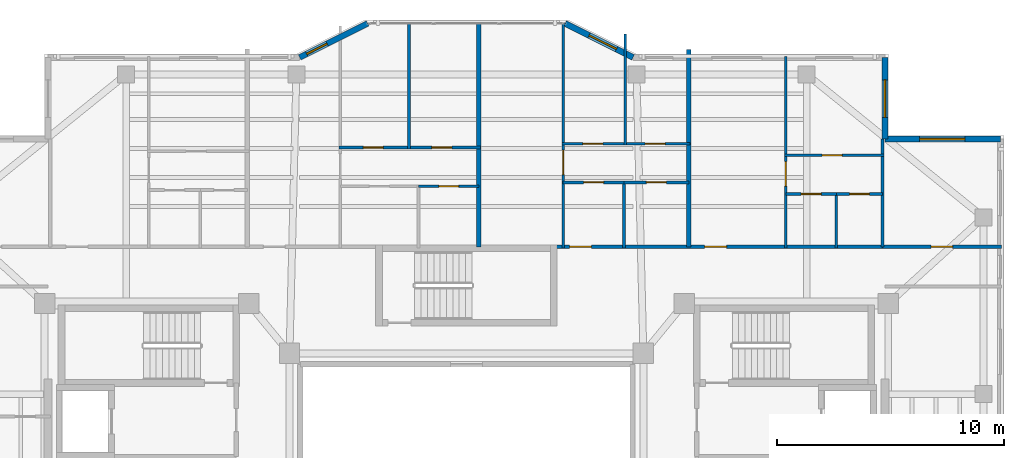
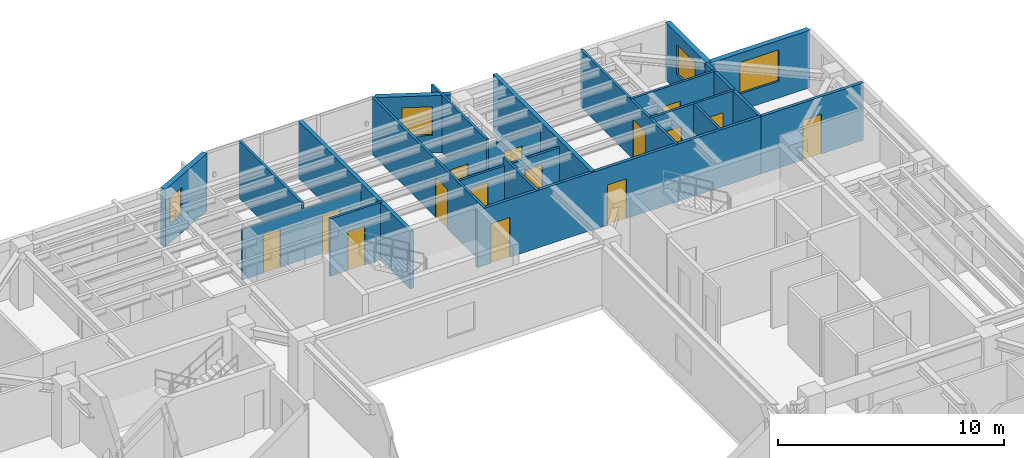
# One storey, part 8 of 12: 23 walls, 15 doors, 4 windows, 19 openings.
"""IFC4 building model written with IfcOpenShell, lengths in metres."""

import ifcopenshell
import ifcopenshell.guid

model = None  # the IFC model being written
_history = None  # IfcOwnerHistory: only IFC2X3 demands one
_inside = {}  # id of a spatial element -> (the spatial element, [elements in it])
_under = {}  # id of a project, library or spatial element -> (it, [spatial elements below it])
_declared = {}  # id of a project -> (the project, [libraries it declares])
_typed = {}  # id of a type object -> (the type object, [elements of that type])
_made_of = {}  # id of a material, layer set ... -> (it, [elements and type objects made of it])


def new_model(schema):
    """Start an empty IFC model of exactly this schema.

    Asked for "IFC4X3", IfcOpenShell would pick the latest addendum, in which some entities
    have other attributes; the version numbers below select the first issue.
    IFC2X3 requires an IfcOwnerHistory on every rooted entity: one is made here for all.
    """
    global model, _history
    if schema == "IFC4X3":
        model = ifcopenshell.file(schema_version=(4, 3, 0, 0))
    else:
        model = ifcopenshell.file(schema=schema)
    _inside.clear()
    _under.clear()
    _declared.clear()
    _typed.clear()
    _made_of.clear()
    _history = None
    if model.schema == "IFC2X3":
        org = make("IfcOrganization", Name="unknown")
        user = make(
            "IfcPersonAndOrganization",
            ThePerson=make("IfcPerson", FamilyName="unknown"),
            TheOrganization=org,
        )
        app = make(
            "IfcApplication",
            ApplicationDeveloper=org,
            Version="unknown",
            ApplicationFullName="unknown",
            ApplicationIdentifier="unknown",
        )
        _history = make(
            "IfcOwnerHistory",
            OwningUser=user,
            OwningApplication=app,
            ChangeAction="ADDED",
            CreationDate=0,
        )
    return model


def make(cls, **values):
    """One entity of the class cls with the attributes given. An attribute that is None is left unset."""
    return model.create_entity(
        cls, **{name: value for name, value in values.items() if value is not None}
    )


def rooted(cls, **values):
    """An entity with a GlobalId (a new one), such as an element, a storey or a relation."""
    return make(cls, GlobalId=ifcopenshell.guid.new(), OwnerHistory=_history, **values)


def si_unit(unit_type, name, prefix=None):
    """IfcSIUnit, for example si_unit("LENGTHUNIT", "METRE", prefix="MILLI")."""
    return make("IfcSIUnit", UnitType=unit_type, Prefix=prefix, Name=name)


def assignment(units):
    """IfcUnitAssignment: the units of a project."""
    return None if units is None else make("IfcUnitAssignment", Units=units)


def point(xyz):
    """IfcCartesianPoint."""
    return None if xyz is None else make("IfcCartesianPoint", Coordinates=xyz)


def direction(xyz):
    """IfcDirection."""
    return None if xyz is None else make("IfcDirection", DirectionRatios=xyz)


def frame(location, z_axis=None, x_axis=None):
    """IfcAxis2Placement3D, a coordinate frame: its origin and axes. An axis left out is left unset."""
    return make(
        "IfcAxis2Placement3D",
        Location=point(location),
        Axis=direction(z_axis),
        RefDirection=direction(x_axis),
    )


def frame_2d(location, x_axis=None):
    """IfcAxis2Placement2D, a coordinate frame in the plane: its origin and x axis."""
    return make(
        "IfcAxis2Placement2D", Location=point(location), RefDirection=direction(x_axis)
    )


def origin():
    """The frame at (0, 0, 0) with its axes left unset."""
    return frame((0.0, 0.0, 0.0))


def place(relative_to, where):
    """IfcLocalPlacement: puts the frame where relative to a parent placement (None: the world)."""
    return make(
        "IfcLocalPlacement", PlacementRelTo=relative_to, RelativePlacement=where
    )


def context(
    kind, dimensions, precision=None, world=None, true_north=None, identifier=None
):
    """IfcGeometricRepresentationContext, for example the 3D "Model" context."""
    return make(
        "IfcGeometricRepresentationContext",
        ContextIdentifier=identifier,
        ContextType=kind,
        CoordinateSpaceDimension=dimensions,
        Precision=precision,
        WorldCoordinateSystem=world,
        TrueNorth=true_north,
    )


def subcontext(parent, identifier, kind, view, scale=None):
    """IfcGeometricRepresentationSubContext, for example "Body" below "Model"."""
    return make(
        "IfcGeometricRepresentationSubContext",
        ContextIdentifier=identifier,
        ContextType=kind,
        ParentContext=parent,
        TargetScale=scale,
        TargetView=view,
    )


def project(units=None, contexts=None):
    """IfcProject with its units and contexts."""
    return rooted(
        "IfcProject",
        Name="project",
        RepresentationContexts=contexts,
        UnitsInContext=assignment(units),
    )


def spatial(cls, under=None, at=None, **own):
    """A site, building, storey or space (cls), placed at a placement, below another one or the project."""
    s = rooted(cls, ObjectPlacement=at, **own)
    if under is not None:
        _under.setdefault(under.id(), (under, []))[1].append(s)
    return s


def profile(cls, at=None, kind="AREA", **sizes):
    """A parametric profile (cls). Its sizes go by their IFC names, for example OverallWidth=200.0."""
    return make(cls, ProfileType=kind, Position=at, **sizes)


def rectangle(**sizes):
    """IfcRectangleProfileDef."""
    return profile("IfcRectangleProfileDef", **sizes)


def extrude(swept, where, along, depth):
    """IfcExtrudedAreaSolid: the profile swept, set in the frame where, extruded along a direction by depth."""
    return make(
        "IfcExtrudedAreaSolid",
        SweptArea=swept,
        Position=where,
        ExtrudedDirection=direction(along),
        Depth=depth,
    )


def shape(context_of_items, identifier, shape_type, items):
    """IfcShapeRepresentation: the items that make up one representation, for example the "Body"."""
    return make(
        "IfcShapeRepresentation",
        ContextOfItems=context_of_items,
        RepresentationIdentifier=identifier,
        RepresentationType=shape_type,
        Items=items,
    )


def material(Name=None, Category=None):
    """IfcMaterial."""
    return make("IfcMaterial", Name=Name, Category=Category)


def layer(
    of_material, thickness, ventilated=None, Name=None, Category=None, Priority=None
):
    """IfcMaterialLayer: one layer of a wall or slab, of a material (None: an air gap)."""
    return make(
        "IfcMaterialLayer",
        Material=of_material,
        LayerThickness=thickness,
        IsVentilated=ventilated,
        Name=Name,
        Category=Category,
        Priority=Priority,
    )


def layer_set(layers, Name=None):
    """IfcMaterialLayerSet."""
    return make("IfcMaterialLayerSet", MaterialLayers=layers, LayerSetName=Name)


def made_of(thing, what):
    """Note that an element or type object is made of a material, layer set ...; save() writes the relation."""
    if what is not None:
        _made_of.setdefault(what.id(), (what, []))[1].append(thing)
    return thing


def type_object(cls, material=None, **own):
    """A type object (cls), such as IfcWallType, which elements share."""
    return made_of(rooted(cls, **own), material)


def element(
    cls,
    number,
    at=None,
    inside=None,
    cuts=None,
    type_object=None,
    material=None,
    context=None,
    identifier="Body",
    shape_type=None,
    held_by="IfcProductDefinitionShape",
    body=None,
    shapes=None,
    **own,
):
    """One element of the class cls, such as IfcWall. Its Tag is "e" and its number.

    at: its placement. inside: the storey or other place that contains it. cuts: it is an
    opening in that element (IfcRelVoidsElement). A single representation is given by context,
    identifier, shape_type and body (its items); several are given by shapes. held_by: the class
    of the entity that holds the representations. save() writes the other relations.
    """
    e = rooted(cls, Tag="e%d" % number, ObjectPlacement=at, **own)
    if body is not None:
        shapes = [shape(context, identifier, shape_type, body)]
    if shapes is not None:
        e.Representation = make(held_by, Representations=shapes)
    if inside is not None:
        _inside.setdefault(inside.id(), (inside, []))[1].append(e)
    if cuts is not None:
        rooted(
            "IfcRelVoidsElement", RelatingBuildingElement=cuts, RelatedOpeningElement=e
        )
    if type_object is not None:
        _typed.setdefault(type_object.id(), (type_object, []))[1].append(e)
    return made_of(e, material)


def fill(opening, filler):
    """IfcRelFillsElement: the door or window that sits in an opening."""
    return rooted(
        "IfcRelFillsElement",
        RelatingOpeningElement=opening,
        RelatedBuildingElement=filler,
    )


def aggregate(whole, parts):
    """IfcRelAggregates: a whole, such as a stair, and the parts it consists of."""
    return rooted("IfcRelAggregates", RelatingObject=whole, RelatedObjects=parts)


def save(model, path):
    """Write the relations noted so far, then the file.

    IfcRelAggregates (storeys below a building ...), IfcRelContainedInSpatialStructure (elements
    in a storey), IfcRelDefinesByType, IfcRelAssociatesMaterial and IfcRelDeclares: one each for
    every whole, place, type object, material and project.
    """
    for whole, parts in _under.values():
        aggregate(whole, parts)
    for where, things in _inside.values():
        rooted(
            "IfcRelContainedInSpatialStructure",
            RelatedElements=things,
            RelatingStructure=where,
        )
    for kind, things in _typed.values():
        rooted("IfcRelDefinesByType", RelatedObjects=things, RelatingType=kind)
    for what, things in _made_of.values():
        rooted("IfcRelAssociatesMaterial", RelatedObjects=things, RelatingMaterial=what)
    for by, libraries in _declared.values():
        rooted("IfcRelDeclares", RelatingContext=by, RelatedDefinitions=libraries)
    model.write(path)


model = new_model("IFC4")

# Units and contexts
model_context = context("Model", 3, precision=1e-05, world=origin(), true_north=direction((0.0, 1.0)))
body_context = subcontext(model_context, "Body", "Model", "MODEL_VIEW")
ifc_project = project(units=[si_unit("LENGTHUNIT", "METRE"), si_unit("AREAUNIT", "SQUARE_METRE"), si_unit("VOLUMEUNIT", "CUBIC_METRE"), si_unit("PLANEANGLEUNIT", "RADIAN"), si_unit("MASSUNIT", "GRAM", prefix="KILO")], contexts=[model_context])

# Site, building, storey
site_placement = place(None, origin())
site = spatial("IfcSite", under=ifc_project, at=site_placement, CompositionType="ELEMENT")
building_placement = place(site_placement, origin())
building = spatial("IfcBuilding", under=site, at=building_placement, Name="Tarnavaz Court Tower", CompositionType="ELEMENT")
storey_placement = place(building_placement, frame((0.0, 0.0, 200.300048828125)))
storey = spatial("IfcBuildingStorey", under=building, at=storey_placement, Name="L54", CompositionType="ELEMENT", Elevation=200.300048828125)

# Wall, opening, window
ifc_material_1 = material(Name="Precast Concrete C40/50", Category="concrete")
ifc_layer_1 = layer(ifc_material_1, 0.260009765625)
ifc_layer_set_1 = layer_set([ifc_layer_1], Name="Precast Concrete C40/50")
wall_type_1 = type_object("IfcWallType", Name="WL-EXT-260", PredefinedType="SOLIDWALL", material=ifc_layer_set_1)
wall_1_placement = place(storey_placement, frame((-7.35009765625, 20.85009765625, 0.0), z_axis=(0.0, 0.0, 1.0), x_axis=(0.894427191, 0.4472135955, 0.0)))
wall_1 = element("IfcWall", 1, at=wall_1_placement, inside=storey, type_object=wall_type_1, Name="L54 Exterior Terracotta Facade Wall 06", PredefinedType="SOLIDWALL", context=body_context, shape_type="SweptSolid", body=[
    extrude(rectangle(XDim=3.35400390625, YDim=0.260009765625, at=frame_2d((1.677001953125, 0.0))), origin(), (0.0, 0.0, 1.0), 3.099853515625),
])
opening_1_placement = place(wall_1_placement, frame((0.345947265625, 0.0, 0.949951171875)))
opening_1 = element("IfcOpeningElement", 2, at=opening_1_placement, cuts=wall_1, Name="Opening W14", PredefinedType="OPENING", context=body_context, shape_type="SweptSolid", body=[
    extrude(rectangle(XDim=1.0, YDim=1.5, at=frame_2d((0.5, 0.75))), frame((0.0, 0.139892578125, 0.0), z_axis=(0.0, -1.0, 0.0), x_axis=(1.0, 0.0, 0.0)), (0.0, 0.0, 1.0), 0.280029296875),
])
ifc_material_2 = material(Name="Double-Glazed Solar Low-E Glass", Category="glass")
window_type_1 = type_object("IfcWindowType", Name="WN-APT-1000", PartitioningType="SINGLE_PANEL", PredefinedType="WINDOW", material=ifc_material_2)
window_1_placement = place(opening_1_placement, origin())
window_1 = element("IfcWindow", 3, at=window_1_placement, inside=storey, type_object=window_type_1, Name="L54 Flat 02 Living and Dining Room Window", OverallHeight=1.5, OverallWidth=1.0, PartitioningType="SINGLE_PANEL", PredefinedType="WINDOW", context=body_context, shape_type="SweptSolid", body=[
    extrude(rectangle(XDim=1.0, YDim=1.5, at=frame_2d((0.5, 0.75))), frame((0.0, 0.030029296875, 0.0), z_axis=(0.0, -1.0, 0.0), x_axis=(1.0, 0.0, 0.0)), (0.0, 0.0, 1.0), 0.06005859375),
])
fill(opening_1, window_1)

wall_2_placement = place(storey_placement, frame((4.35009765625, 22.35009765625, 0.0), z_axis=(0.0, 0.0, 1.0), x_axis=(0.894427191, -0.4472135955, 0.0)))
wall_2 = element("IfcWall", 4, at=wall_2_placement, inside=storey, type_object=wall_type_1, Name="L54 Exterior Terracotta Facade Wall 08", PredefinedType="SOLIDWALL", context=body_context, shape_type="SweptSolid", body=[
    extrude(rectangle(XDim=3.35400390625, YDim=0.260009765625, at=frame_2d((1.677001953125, 0.0))), origin(), (0.0, 0.0, 1.0), 3.099853515625),
])
opening_2_placement = place(wall_2_placement, frame((1.182373046875, 0.0, 0.949951171875)))
opening_2 = element("IfcOpeningElement", 5, at=opening_2_placement, cuts=wall_2, Name="Opening W04", PredefinedType="OPENING", context=body_context, shape_type="SweptSolid", body=[
    extrude(rectangle(XDim=1.35009765625, YDim=1.550048828125, at=frame_2d((0.675048828125, 0.77490234375))), frame((0.0, 0.139892578125, 0.0), z_axis=(0.0, -1.0, 0.0), x_axis=(1.0, 0.0, 0.0)), (0.0, 0.0, 1.0), 0.280029296875),
])
window_type_2 = type_object("IfcWindowType", Name="WN-APT-1350", PartitioningType="SINGLE_PANEL", PredefinedType="WINDOW", material=ifc_material_2)
window_2_placement = place(opening_2_placement, origin())
window_2 = element("IfcWindow", 6, at=window_2_placement, inside=storey, type_object=window_type_2, Name="L54 Flat 03 Principal Bedroom Window", OverallHeight=1.550048828125, OverallWidth=1.35009765625, PartitioningType="SINGLE_PANEL", PredefinedType="WINDOW", context=body_context, shape_type="SweptSolid", body=[
    extrude(rectangle(XDim=1.35009765625, YDim=1.550048828125, at=frame_2d((0.675048828125, 0.77490234375))), frame((0.0, 0.030029296875, 0.0), z_axis=(0.0, -1.0, 0.0), x_axis=(1.0, 0.0, 0.0)), (0.0, 0.0, 1.0), 0.06005859375),
])
fill(opening_2, window_2)

wall_3_placement = place(storey_placement, frame((18.449951171875, 20.85009765625, 0.0), z_axis=(0.0, 0.0, 1.0), x_axis=(0.0, -1.0, 0.0)))
wall_3 = element("IfcWall", 7, at=wall_3_placement, inside=storey, type_object=wall_type_1, Name="L54 Exterior Terracotta Facade Wall 10", PredefinedType="SOLIDWALL", context=body_context, shape_type="SweptSolid", body=[
    extrude(rectangle(XDim=3.60009765625, YDim=0.260009765625, at=frame_2d((1.800048828125, 0.0))), origin(), (0.0, 0.0, 1.0), 3.099853515625),
])
opening_3_placement = place(wall_3_placement, frame((0.992431640625, 0.0, 0.89990234375)))
opening_3 = element("IfcOpeningElement", 8, at=opening_3_placement, cuts=wall_3, Name="Opening W02", PredefinedType="OPENING", context=body_context, shape_type="SweptSolid", body=[
    extrude(rectangle(XDim=1.64990234375, YDim=1.60009765625, at=frame_2d((0.824951171875, 0.800048828125))), frame((0.0, 0.139892578125, 0.0), z_axis=(0.0, -1.0, 0.0), x_axis=(1.0, 0.0, 0.0)), (0.0, 0.0, 1.0), 0.280029296875),
])
window_type_3 = type_object("IfcWindowType", Name="WN-APT-1650", PartitioningType="DOUBLE_PANEL_VERTICAL", PredefinedType="WINDOW", material=ifc_material_2)
window_3_placement = place(opening_3_placement, origin())
window_3 = element("IfcWindow", 9, at=window_3_placement, inside=storey, type_object=window_type_3, Name="L54 Flat 04 Bedroom 1 Window", OverallHeight=1.60009765625, OverallWidth=1.64990234375, PartitioningType="SINGLE_PANEL", PredefinedType="WINDOW", context=body_context, shape_type="SweptSolid", body=[
    extrude(rectangle(XDim=1.64990234375, YDim=1.60009765625, at=frame_2d((0.824951171875, 0.800048828125))), frame((0.0, 0.030029296875, 0.0), z_axis=(0.0, -1.0, 0.0), x_axis=(1.0, 0.0, 0.0)), (0.0, 0.0, 1.0), 0.06005859375),
])
fill(opening_3, window_3)

wall_4_placement = place(storey_placement, frame((18.449951171875, 17.25, 0.0), z_axis=(0.0, 0.0, 1.0), x_axis=(1.0, 0.0, 0.0)))
wall_4 = element("IfcWall", 10, at=wall_4_placement, inside=storey, type_object=wall_type_1, Name="L54 Exterior Terracotta Facade Wall 11", PredefinedType="SOLIDWALL", context=body_context, shape_type="SweptSolid", body=[
    extrude(rectangle(XDim=5.10009765625, YDim=0.260009765625, at=frame_2d((2.550048828125, 0.0))), origin(), (0.0, 0.0, 1.0), 3.099853515625),
])
opening_4_placement = place(wall_4_placement, frame((1.52490234375, 0.0, 0.89990234375)))
opening_4 = element("IfcOpeningElement", 11, at=opening_4_placement, cuts=wall_4, Name="Opening W08", PredefinedType="OPENING", context=body_context, shape_type="SweptSolid", body=[
    extrude(rectangle(XDim=2.0, YDim=1.699951171875, at=frame_2d((1.0, 0.85009765625))), frame((0.0, 0.139892578125, 0.0), z_axis=(0.0, -1.0, 0.0), x_axis=(1.0, 0.0, 0.0)), (0.0, 0.0, 1.0), 0.280029296875),
])
window_type_4 = type_object("IfcWindowType", Name="WN-APT-2000", PartitioningType="DOUBLE_PANEL_VERTICAL", PredefinedType="WINDOW", material=ifc_material_2)
window_4_placement = place(opening_4_placement, origin())
window_4 = element("IfcWindow", 12, at=window_4_placement, inside=storey, type_object=window_type_4, Name="L54 North-East Corner Sunroom Study Window", OverallHeight=1.699951171875, OverallWidth=2.0, PartitioningType="SINGLE_PANEL", PredefinedType="WINDOW", context=body_context, shape_type="SweptSolid", body=[
    extrude(rectangle(XDim=2.0, YDim=1.699951171875, at=frame_2d((1.0, 0.85009765625))), frame((0.0, 0.030029296875, 0.0), z_axis=(0.0, -1.0, 0.0), x_axis=(1.0, 0.0, 0.0)), (0.0, 0.0, 1.0), 0.06005859375),
])
fill(opening_4, window_4)

# Wall, openings, doors
ifc_material_3 = material(Name="Gypsum Fire-Board on Acoustic Metal Stud", Category="masonry")
ifc_layer_2 = layer(ifc_material_3, 0.14990234375)
ifc_layer_set_2 = layer_set([ifc_layer_2], Name="Gypsum Fire-Board on Acoustic Metal Stud")
wall_type_2 = type_object("IfcWallType", Name="WL-FIRE-150", PredefinedType="PARTITIONING", material=ifc_layer_set_2)
wall_5_placement = place(storey_placement, frame((3.85009765625, 12.5, 0.0), z_axis=(0.0, 0.0, 1.0), x_axis=(1.0, 0.0, 0.0)))
wall_5 = element("IfcWall", 13, at=wall_5_placement, inside=storey, type_object=wall_type_2, Name="L54 NE Wing Corridor Wall 055", PredefinedType="PARTITIONING", context=body_context, shape_type="SweptSolid", body=[
    extrude(rectangle(XDim=14.5, YDim=0.14990234375, at=frame_2d((7.25, 0.0))), origin(), (0.0, 0.0, 1.0), 3.099853515625),
])
opening_5_placement = place(wall_5_placement, frame((0.699951171875, 0.0, 0.0)))
opening_5 = element("IfcOpeningElement", 14, at=opening_5_placement, cuts=wall_5, Name="Opening D06", PredefinedType="OPENING", context=body_context, shape_type="SweptSolid", body=[
    extrude(rectangle(XDim=0.9599609375, YDim=2.14990234375, at=frame_2d((0.47998046875, 1.074951171875))), frame((0.0, 0.0849609375, 0.0), z_axis=(0.0, -1.0, 0.0), x_axis=(1.0, 0.0, 0.0)), (0.0, 0.0, 1.0), 0.169921875),
])
opening_6_placement = place(wall_5_placement, frame((6.656005859375, 0.0, 0.0)))
opening_6 = element("IfcOpeningElement", 15, at=opening_6_placement, cuts=wall_5, Name="Opening D06", PredefinedType="OPENING", context=body_context, shape_type="SweptSolid", body=[
    extrude(rectangle(XDim=0.9599609375, YDim=2.14990234375, at=frame_2d((0.47998046875, 1.074951171875))), frame((0.0, 0.0849609375, 0.0), z_axis=(0.0, -1.0, 0.0), x_axis=(1.0, 0.0, 0.0)), (0.0, 0.0, 1.0), 0.169921875),
])
ifc_material_4 = material(Name="Fire-Rated Hardwood Timber Core", Category="wood")
door_type_1 = type_object("IfcDoorType", Name="DR-FD60-950", OperationType="NOTDEFINED", PredefinedType="DOOR", material=ifc_material_4)
door_1_placement = place(opening_5_placement, origin())
door_1 = element("IfcDoor", 16, at=door_1_placement, inside=storey, type_object=door_type_1, Name="L54 Flat 03 Entrance Door", OperationType="SINGLE_SWING_LEFT", OverallHeight=2.14990234375, OverallWidth=0.9599609375, PredefinedType="DOOR", context=body_context, shape_type="SweptSolid", body=[
    extrude(rectangle(XDim=0.9599609375, YDim=2.14990234375, at=frame_2d((0.47998046875, 1.074951171875))), frame((0.0, 0.02490234375, 0.0), z_axis=(0.0, -1.0, 0.0), x_axis=(1.0, 0.0, 0.0)), (0.0, 0.0, 1.0), 0.050048828125),
])
fill(opening_5, door_1)
door_2_placement = place(opening_6_placement, origin())
door_2 = element("IfcDoor", 17, at=door_2_placement, inside=storey, type_object=door_type_1, Name="L54 Flat 04 Entrance Door", OperationType="SINGLE_SWING_LEFT", OverallHeight=2.14990234375, OverallWidth=0.9599609375, PredefinedType="DOOR", context=body_context, shape_type="SweptSolid", body=[
    extrude(rectangle(XDim=0.9599609375, YDim=2.14990234375, at=frame_2d((0.47998046875, 1.074951171875))), frame((0.0, 0.02490234375, 0.0), z_axis=(0.0, -1.0, 0.0), x_axis=(1.0, 0.0, 0.0)), (0.0, 0.0, 1.0), 0.050048828125),
])
fill(opening_6, door_2)

# Wall, opening, door
wall_6_placement = place(storey_placement, frame((18.35009765625, 12.5, 0.0), z_axis=(0.0, 0.0, 1.0), x_axis=(1.0, 0.0, 0.0)))
wall_6 = element("IfcWall", 18, at=wall_6_placement, inside=storey, type_object=wall_type_2, Name="L54 Interior Partition 108", PredefinedType="PARTITIONING", context=body_context, shape_type="SweptSolid", body=[
    extrude(rectangle(XDim=5.22998046875, YDim=0.14990234375, at=frame_2d((2.614990234375, 0.0))), origin(), (0.0, 0.0, 1.0), 3.099853515625),
])
opening_7_placement = place(wall_6_placement, frame((2.139892578125, 0.0, 0.0)))
opening_7 = element("IfcOpeningElement", 19, at=opening_7_placement, cuts=wall_6, Name="Opening D13", PredefinedType="OPENING", context=body_context, shape_type="SweptSolid", body=[
    extrude(rectangle(XDim=0.949951171875, YDim=2.14990234375, at=frame_2d((0.47509765625, 1.074951171875))), frame((0.0, 0.0849609375, 0.0), z_axis=(0.0, -1.0, 0.0), x_axis=(1.0, 0.0, 0.0)), (0.0, 0.0, 1.0), 0.169921875),
])
ifc_material_5 = material(Name="Engineered Oak Timber", Category="wood")
door_type_2 = type_object("IfcDoorType", Name="DR-INT-950", OperationType="NOTDEFINED", PredefinedType="DOOR", material=ifc_material_5)
door_3_placement = place(opening_7_placement, origin())
door_3 = element("IfcDoor", 20, at=door_3_placement, inside=storey, type_object=door_type_2, Name="L54 NE Sunroom Door", OperationType="SINGLE_SWING_LEFT", OverallHeight=2.14990234375, OverallWidth=0.949951171875, PredefinedType="DOOR", context=body_context, shape_type="SweptSolid", body=[
    extrude(rectangle(XDim=0.949951171875, YDim=2.14990234375, at=frame_2d((0.47509765625, 1.074951171875))), frame((0.0, 0.02490234375, 0.0), z_axis=(0.0, -1.0, 0.0), x_axis=(1.0, 0.0, 0.0)), (0.0, 0.0, 1.0), 0.050048828125),
])
fill(opening_7, door_3)

# Walls
ifc_material_6 = material(Name="Autoclaved Aerated Concrete Blockwork", Category="masonry")
ifc_layer_3 = layer(ifc_material_6, 0.199951171875)
ifc_layer_set_3 = layer_set([ifc_layer_3], Name="Autoclaved Aerated Concrete Blockwork")
wall_type_3 = type_object("IfcWallType", Name="WL-FIRE-200", PredefinedType="SOLIDWALL", material=ifc_layer_set_3)
wall_7_placement = place(storey_placement, frame((0.550048828125, 12.5, 0.0), z_axis=(0.0, 0.0, 1.0), x_axis=(0.0, 1.0, 0.0)))
element("IfcWall", 21, at=wall_7_placement, inside=storey, type_object=wall_type_3, Name="L54 North Center Party Wall 060", PredefinedType="SOLIDWALL", context=body_context, shape_type="SweptSolid", body=[
    extrude(rectangle(XDim=9.8798828125, YDim=0.199951171875, at=frame_2d((4.93994140625, 0.0))), origin(), (0.0, 0.0, 1.0), 3.099853515625),
])
wall_8_placement = place(storey_placement, frame((9.805908203125, 12.5, 0.0), z_axis=(0.0, 0.0, 1.0), x_axis=(0.0, 1.0, 0.0)))
element("IfcWall", 22, at=wall_8_placement, inside=storey, type_object=wall_type_3, Name="L54 Party Wall 073", PredefinedType="SOLIDWALL", context=body_context, shape_type="SweptSolid", body=[
    extrude(rectangle(XDim=8.695068359375, YDim=0.199951171875, at=frame_2d((4.34765625, 0.0))), origin(), (0.0, 0.0, 1.0), 3.099853515625),
])

# Wall, opening, door
ifc_material_7 = material(Name="Moisture-Resistant Gypsum Board Partition", Category="masonry")
ifc_layer_4 = layer(ifc_material_7, 0.1201171875)
ifc_layer_set_4 = layer_set([ifc_layer_4], Name="Moisture-Resistant Gypsum Board Partition")
wall_type_4 = type_object("IfcWallType", Name="WL-PART-120", PredefinedType="PARTITIONING", material=ifc_layer_set_4)
wall_9_placement = place(storey_placement, frame((-2.112060546875, 15.169921875, 0.0), z_axis=(0.0, 0.0, 1.0), x_axis=(1.0, 0.0, 0.0)))
wall_9 = element("IfcWall", 23, at=wall_9_placement, inside=storey, type_object=wall_type_4, Name="L54 Interior Partition 069", PredefinedType="PARTITIONING", context=body_context, shape_type="SweptSolid", body=[
    extrude(rectangle(XDim=2.662109375, YDim=0.1201171875, at=frame_2d((1.3310546875, 0.0))), origin(), (0.0, 0.0, 1.0), 3.099853515625),
])
opening_8_placement = place(wall_9_placement, frame((0.89111328125, 0.0, 0.0)))
opening_8 = element("IfcOpeningElement", 24, at=opening_8_placement, cuts=wall_9, Name="Opening D14", PredefinedType="OPENING", context=body_context, shape_type="SweptSolid", body=[
    extrude(rectangle(XDim=0.8798828125, YDim=2.10009765625, at=frame_2d((0.43994140625, 1.050048828125))), frame((0.0, 0.070068359375, 0.0), z_axis=(0.0, -1.0, 0.0), x_axis=(1.0, 0.0, 0.0)), (0.0, 0.0, 1.0), 0.14013671875),
])
door_type_3 = type_object("IfcDoorType", Name="DR-INT-900", OperationType="NOTDEFINED", PredefinedType="DOOR", material=ifc_material_5)
door_4_placement = place(opening_8_placement, origin())
door_4 = element("IfcDoor", 25, at=door_4_placement, inside=storey, type_object=door_type_3, Name="L54 Flat 02 Bathroom Door", OperationType="SINGLE_SWING_RIGHT", OverallHeight=2.10009765625, OverallWidth=0.8798828125, PredefinedType="DOOR", context=body_context, shape_type="SweptSolid", body=[
    extrude(rectangle(XDim=0.8798828125, YDim=2.10009765625, at=frame_2d((0.43994140625, 1.050048828125))), frame((0.0, 0.02490234375, 0.0), z_axis=(0.0, -1.0, 0.0), x_axis=(1.0, 0.0, 0.0)), (0.0, 0.0, 1.0), 0.050048828125),
])
fill(opening_8, door_4)

# Wall, openings, doors
wall_10_placement = place(storey_placement, frame((-5.6220703125, 16.8798828125, 0.0), z_axis=(0.0, 0.0, 1.0), x_axis=(1.0, 0.0, 0.0)))
wall_10 = element("IfcWall", 26, at=wall_10_placement, inside=storey, type_object=wall_type_4, Name="L54 Interior Partition 070", PredefinedType="PARTITIONING", context=body_context, shape_type="SweptSolid", body=[
    extrude(rectangle(XDim=6.232177734375, YDim=0.1201171875, at=frame_2d((3.1162109375, 0.0))), origin(), (0.0, 0.0, 1.0), 2.724853515625),
])
opening_9_placement = place(wall_10_placement, frame((1.072998046875, 0.0, 0.0)))
opening_9 = element("IfcOpeningElement", 27, at=opening_9_placement, cuts=wall_10, Name="Opening D14", PredefinedType="OPENING", context=body_context, shape_type="SweptSolid", body=[
    extrude(rectangle(XDim=0.8798828125, YDim=2.10009765625, at=frame_2d((0.43994140625, 1.050048828125))), frame((0.0, 0.070068359375, 0.0), z_axis=(0.0, -1.0, 0.0), x_axis=(1.0, 0.0, 0.0)), (0.0, 0.0, 1.0), 0.14013671875),
])
opening_10_placement = place(wall_10_placement, frame((4.09912109375, 0.0, 0.0)))
opening_10 = element("IfcOpeningElement", 28, at=opening_10_placement, cuts=wall_10, Name="Opening D14", PredefinedType="OPENING", context=body_context, shape_type="SweptSolid", body=[
    extrude(rectangle(XDim=0.8798828125, YDim=2.10009765625, at=frame_2d((0.43994140625, 1.050048828125))), frame((0.0, 0.070068359375, 0.0), z_axis=(0.0, -1.0, 0.0), x_axis=(1.0, 0.0, 0.0)), (0.0, 0.0, 1.0), 0.14013671875),
])
door_5_placement = place(opening_9_placement, origin())
door_5 = element("IfcDoor", 29, at=door_5_placement, inside=storey, type_object=door_type_3, Name="L54 Flat 02 Bedroom 1 Door", OperationType="SINGLE_SWING_LEFT", OverallHeight=2.10009765625, OverallWidth=0.8798828125, PredefinedType="DOOR", context=body_context, shape_type="SweptSolid", body=[
    extrude(rectangle(XDim=0.8798828125, YDim=2.10009765625, at=frame_2d((0.43994140625, 1.050048828125))), frame((0.0, 0.02490234375, 0.0), z_axis=(0.0, -1.0, 0.0), x_axis=(1.0, 0.0, 0.0)), (0.0, 0.0, 1.0), 0.050048828125),
])
fill(opening_9, door_5)
door_6_placement = place(opening_10_placement, origin())
door_6 = element("IfcDoor", 30, at=door_6_placement, inside=storey, type_object=door_type_3, Name="L54 Flat 02 Bedroom 2 Door", OperationType="SINGLE_SWING_RIGHT", OverallHeight=2.10009765625, OverallWidth=0.8798828125, PredefinedType="DOOR", context=body_context, shape_type="SweptSolid", body=[
    extrude(rectangle(XDim=0.8798828125, YDim=2.10009765625, at=frame_2d((0.43994140625, 1.050048828125))), frame((0.0, 0.02490234375, 0.0), z_axis=(0.0, -1.0, 0.0), x_axis=(1.0, 0.0, 0.0)), (0.0, 0.0, 1.0), 0.050048828125),
])
fill(opening_10, door_6)

# Wall
wall_11_placement = place(storey_placement, frame((-2.535888671875, 16.820068359375, 0.0), z_axis=(0.0, 0.0, 1.0), x_axis=(0.0, 1.0, 0.0)))
element("IfcWall", 31, at=wall_11_placement, inside=storey, type_object=wall_type_4, Name="L54 Interior Partition 072", PredefinedType="PARTITIONING", context=body_context, shape_type="SweptSolid", body=[
    extrude(rectangle(XDim=5.559814453125, YDim=0.1201171875, at=frame_2d((2.77978515625, 0.0))), origin(), (0.0, 0.0, 1.0), 3.099853515625),
])

# Wall, opening, door
wall_12_placement = place(storey_placement, frame((4.263916015625, 12.43994140625, 0.0), z_axis=(0.0, 0.0, 1.0), x_axis=(0.0, 1.0, 0.0)))
wall_12 = element("IfcWall", 32, at=wall_12_placement, inside=storey, type_object=wall_type_4, Name="L54 Interior Partition 074", PredefinedType="PARTITIONING", context=body_context, shape_type="SweptSolid", body=[
    extrude(rectangle(XDim=9.93994140625, YDim=0.1201171875, at=frame_2d((4.969970703125, 0.0))), origin(), (0.0, 0.0, 1.0), 3.099853515625),
])
opening_11_placement = place(wall_12_placement, frame((3.2451171875, 0.0, 0.0)))
opening_11 = element("IfcOpeningElement", 33, at=opening_11_placement, cuts=wall_12, Name="Opening D12", PredefinedType="OPENING", context=body_context, shape_type="SweptSolid", body=[
    extrude(rectangle(XDim=1.080078125, YDim=2.14990234375, at=frame_2d((0.5400390625, 1.074951171875))), frame((0.0, 0.070068359375, 0.0), z_axis=(0.0, -1.0, 0.0), x_axis=(1.0, 0.0, 0.0)), (0.0, 0.0, 1.0), 0.14013671875),
])
door_type_4 = type_object("IfcDoorType", Name="DR-INT-1100", OperationType="NOTDEFINED", PredefinedType="DOOR", material=ifc_material_5)
door_7_placement = place(opening_11_placement, origin())
door_7 = element("IfcDoor", 34, at=door_7_placement, inside=storey, type_object=door_type_4, Name="L54 Flat 03 Foyer Door", OperationType="SINGLE_SWING_RIGHT", OverallHeight=2.14990234375, OverallWidth=1.080078125, PredefinedType="DOOR", context=body_context, shape_type="SweptSolid", body=[
    extrude(rectangle(XDim=1.080078125, YDim=2.14990234375, at=frame_2d((0.5400390625, 1.074951171875))), frame((0.0, 0.02490234375, 0.0), z_axis=(0.0, -1.0, 0.0), x_axis=(1.0, 0.0, 0.0)), (0.0, 0.0, 1.0), 0.050048828125),
])
fill(opening_11, door_7)

wall_13_placement = place(storey_placement, frame((4.263916015625, 15.340087890625, 0.0), z_axis=(0.0, 0.0, 1.0), x_axis=(1.0, 0.0, 0.0)))
wall_13 = element("IfcWall", 35, at=wall_13_placement, inside=storey, type_object=wall_type_4, Name="L54 Interior Partition 075", PredefinedType="PARTITIONING", context=body_context, shape_type="SweptSolid", body=[
    extrude(rectangle(XDim=2.68603515625, YDim=0.1201171875, at=frame_2d((1.343017578125, 0.0))), origin(), (0.0, 0.0, 1.0), 2.724853515625),
])
opening_12_placement = place(wall_13_placement, frame((0.903076171875, 0.0, 0.0)))
opening_12 = element("IfcOpeningElement", 36, at=opening_12_placement, cuts=wall_13, Name="Opening D14", PredefinedType="OPENING", context=body_context, shape_type="SweptSolid", body=[
    extrude(rectangle(XDim=0.8798828125, YDim=2.10009765625, at=frame_2d((0.43994140625, 1.050048828125))), frame((0.0, 0.070068359375, 0.0), z_axis=(0.0, -1.0, 0.0), x_axis=(1.0, 0.0, 0.0)), (0.0, 0.0, 1.0), 0.14013671875),
])
door_8_placement = place(opening_12_placement, origin())
door_8 = element("IfcDoor", 37, at=door_8_placement, inside=storey, type_object=door_type_3, Name="L54 Flat 03 Kitchen Door", OperationType="SINGLE_SWING_LEFT", OverallHeight=2.10009765625, OverallWidth=0.8798828125, PredefinedType="DOOR", context=body_context, shape_type="SweptSolid", body=[
    extrude(rectangle(XDim=0.8798828125, YDim=2.10009765625, at=frame_2d((0.43994140625, 1.050048828125))), frame((0.0, 0.02490234375, 0.0), z_axis=(0.0, -1.0, 0.0), x_axis=(1.0, 0.0, 0.0)), (0.0, 0.0, 1.0), 0.050048828125),
])
fill(opening_12, door_8)

wall_14_placement = place(storey_placement, frame((6.949951171875, 15.340087890625, 0.0), z_axis=(0.0, 0.0, 1.0), x_axis=(1.0, 0.0, 0.0)))
wall_14 = element("IfcWall", 38, at=wall_14_placement, inside=storey, type_object=wall_type_4, Name="L54 Interior Partition 076", PredefinedType="PARTITIONING", context=body_context, shape_type="SweptSolid", body=[
    extrude(rectangle(XDim=2.85595703125, YDim=0.1201171875, at=frame_2d((1.427978515625, 0.0))), origin(), (0.0, 0.0, 1.0), 2.724853515625),
])
opening_13_placement = place(wall_14_placement, frame((0.988037109375, 0.0, 0.0)))
opening_13 = element("IfcOpeningElement", 39, at=opening_13_placement, cuts=wall_14, Name="Opening D14", PredefinedType="OPENING", context=body_context, shape_type="SweptSolid", body=[
    extrude(rectangle(XDim=0.8798828125, YDim=2.10009765625, at=frame_2d((0.43994140625, 1.050048828125))), frame((0.0, 0.070068359375, 0.0), z_axis=(0.0, -1.0, 0.0), x_axis=(1.0, 0.0, 0.0)), (0.0, 0.0, 1.0), 0.14013671875),
])
door_9_placement = place(opening_13_placement, origin())
door_9 = element("IfcDoor", 40, at=door_9_placement, inside=storey, type_object=door_type_3, Name="L54 Flat 03 Bathroom Door", OperationType="SINGLE_SWING_RIGHT", OverallHeight=2.10009765625, OverallWidth=0.8798828125, PredefinedType="DOOR", context=body_context, shape_type="SweptSolid", body=[
    extrude(rectangle(XDim=0.8798828125, YDim=2.10009765625, at=frame_2d((0.43994140625, 1.050048828125))), frame((0.0, 0.02490234375, 0.0), z_axis=(0.0, -1.0, 0.0), x_axis=(1.0, 0.0, 0.0)), (0.0, 0.0, 1.0), 0.050048828125),
])
fill(opening_13, door_9)

# Wall, openings, doors
wall_15_placement = place(storey_placement, frame((4.2041015625, 17.050048828125, 0.0), z_axis=(0.0, 0.0, 1.0), x_axis=(1.0, 0.0, 0.0)))
wall_15 = element("IfcWall", 41, at=wall_15_placement, inside=storey, type_object=wall_type_4, Name="L54 Interior Partition 077", PredefinedType="PARTITIONING", context=body_context, shape_type="SweptSolid", body=[
    extrude(rectangle(XDim=5.661865234375, YDim=0.1201171875, at=frame_2d((2.8310546875, 0.0))), origin(), (0.0, 0.0, 1.0), 2.724853515625),
])
opening_14_placement = place(wall_15_placement, frame((0.929931640625, 0.0, 0.0)))
opening_14 = element("IfcOpeningElement", 42, at=opening_14_placement, cuts=wall_15, Name="Opening D14", PredefinedType="OPENING", context=body_context, shape_type="SweptSolid", body=[
    extrude(rectangle(XDim=0.8798828125, YDim=2.10009765625, at=frame_2d((0.43994140625, 1.050048828125))), frame((0.0, 0.070068359375, 0.0), z_axis=(0.0, -1.0, 0.0), x_axis=(1.0, 0.0, 0.0)), (0.0, 0.0, 1.0), 0.14013671875),
])
opening_15_placement = place(wall_15_placement, frame((3.6708984375, 0.0, 0.0)))
opening_15 = element("IfcOpeningElement", 43, at=opening_15_placement, cuts=wall_15, Name="Opening D14", PredefinedType="OPENING", context=body_context, shape_type="SweptSolid", body=[
    extrude(rectangle(XDim=0.8798828125, YDim=2.10009765625, at=frame_2d((0.43994140625, 1.050048828125))), frame((0.0, 0.070068359375, 0.0), z_axis=(0.0, -1.0, 0.0), x_axis=(1.0, 0.0, 0.0)), (0.0, 0.0, 1.0), 0.14013671875),
])
door_10_placement = place(opening_14_placement, origin())
door_10 = element("IfcDoor", 44, at=door_10_placement, inside=storey, type_object=door_type_3, Name="L54 Flat 03 Bedroom 1 Door", OperationType="SINGLE_SWING_LEFT", OverallHeight=2.10009765625, OverallWidth=0.8798828125, PredefinedType="DOOR", context=body_context, shape_type="SweptSolid", body=[
    extrude(rectangle(XDim=0.8798828125, YDim=2.10009765625, at=frame_2d((0.43994140625, 1.050048828125))), frame((0.0, 0.02490234375, 0.0), z_axis=(0.0, -1.0, 0.0), x_axis=(1.0, 0.0, 0.0)), (0.0, 0.0, 1.0), 0.050048828125),
])
fill(opening_14, door_10)
door_11_placement = place(opening_15_placement, origin())
door_11 = element("IfcDoor", 45, at=door_11_placement, inside=storey, type_object=door_type_3, Name="L54 Flat 03 Bedroom 2 Door", OperationType="SINGLE_SWING_RIGHT", OverallHeight=2.10009765625, OverallWidth=0.8798828125, PredefinedType="DOOR", context=body_context, shape_type="SweptSolid", body=[
    extrude(rectangle(XDim=0.8798828125, YDim=2.10009765625, at=frame_2d((0.43994140625, 1.050048828125))), frame((0.0, 0.02490234375, 0.0), z_axis=(0.0, -1.0, 0.0), x_axis=(1.0, 0.0, 0.0)), (0.0, 0.0, 1.0), 0.050048828125),
])
fill(opening_15, door_11)

# Walls
wall_16_placement = place(storey_placement, frame((6.949951171875, 12.43994140625, 0.0), z_axis=(0.0, 0.0, 1.0), x_axis=(0.0, 1.0, 0.0)))
element("IfcWall", 46, at=wall_16_placement, inside=storey, type_object=wall_type_4, Name="L54 Interior Partition 078", PredefinedType="PARTITIONING", context=body_context, shape_type="SweptSolid", body=[
    extrude(rectangle(XDim=2.9599609375, YDim=0.1201171875, at=frame_2d((1.47998046875, 0.0))), origin(), (0.0, 0.0, 1.0), 3.099853515625),
])
wall_17_placement = place(storey_placement, frame((7.0048828125, 16.989990234375, 0.0), z_axis=(0.0, 0.0, 1.0), x_axis=(0.0, 1.0, 0.0)))
element("IfcWall", 47, at=wall_17_placement, inside=storey, type_object=wall_type_4, Name="L54 Interior Partition 079", PredefinedType="PARTITIONING", context=body_context, shape_type="SweptSolid", body=[
    extrude(rectangle(XDim=4.89501953125, YDim=0.1201171875, at=frame_2d((2.447509765625, 0.0))), origin(), (0.0, 0.0, 1.0), 3.099853515625),
])

# Wall, opening, door
wall_18_placement = place(storey_placement, frame((14.077880859375, 12.43994140625, 0.0), z_axis=(0.0, 0.0, 1.0), x_axis=(0.0, 1.0, 0.0)))
wall_18 = element("IfcWall", 48, at=wall_18_placement, inside=storey, type_object=wall_type_4, Name="L54 Interior Partition 080", PredefinedType="PARTITIONING", context=body_context, shape_type="SweptSolid", body=[
    extrude(rectangle(XDim=8.4599609375, YDim=0.1201171875, at=frame_2d((4.22998046875, 0.0))), origin(), (0.0, 0.0, 1.0), 3.099853515625),
])
opening_16_placement = place(wall_18_placement, frame((2.735107421875, 0.0, 0.0)))
opening_16 = element("IfcOpeningElement", 49, at=opening_16_placement, cuts=wall_18, Name="Opening D12", PredefinedType="OPENING", context=body_context, shape_type="SweptSolid", body=[
    extrude(rectangle(XDim=1.080078125, YDim=2.14990234375, at=frame_2d((0.5400390625, 1.074951171875))), frame((0.0, 0.070068359375, 0.0), z_axis=(0.0, -1.0, 0.0), x_axis=(1.0, 0.0, 0.0)), (0.0, 0.0, 1.0), 0.14013671875),
])
door_12_placement = place(opening_16_placement, origin())
door_12 = element("IfcDoor", 50, at=door_12_placement, inside=storey, type_object=door_type_4, Name="L54 Flat 04 Foyer Door", OperationType="SINGLE_SWING_RIGHT", OverallHeight=2.14990234375, OverallWidth=1.080078125, PredefinedType="DOOR", context=body_context, shape_type="SweptSolid", body=[
    extrude(rectangle(XDim=1.080078125, YDim=2.14990234375, at=frame_2d((0.5400390625, 1.074951171875))), frame((0.0, 0.02490234375, 0.0), z_axis=(0.0, -1.0, 0.0), x_axis=(1.0, 0.0, 0.0)), (0.0, 0.0, 1.0), 0.050048828125),
])
fill(opening_16, door_12)

wall_19_placement = place(storey_placement, frame((14.077880859375, 14.830078125, 0.0), z_axis=(0.0, 0.0, 1.0), x_axis=(1.0, 0.0, 0.0)))
wall_19 = element("IfcWall", 51, at=wall_19_placement, inside=storey, type_object=wall_type_4, Name="L54 Interior Partition 081", PredefinedType="PARTITIONING", context=body_context, shape_type="SweptSolid", body=[
    extrude(rectangle(XDim=2.232177734375, YDim=0.1201171875, at=frame_2d((1.1162109375, 0.0))), origin(), (0.0, 0.0, 1.0), 3.099853515625),
])
opening_17_placement = place(wall_19_placement, frame((0.676025390625, 0.0, 0.0)))
opening_17 = element("IfcOpeningElement", 52, at=opening_17_placement, cuts=wall_19, Name="Opening D14", PredefinedType="OPENING", context=body_context, shape_type="SweptSolid", body=[
    extrude(rectangle(XDim=0.8798828125, YDim=2.10009765625, at=frame_2d((0.43994140625, 1.050048828125))), frame((0.0, 0.070068359375, 0.0), z_axis=(0.0, -1.0, 0.0), x_axis=(1.0, 0.0, 0.0)), (0.0, 0.0, 1.0), 0.14013671875),
])
door_13_placement = place(opening_17_placement, origin())
door_13 = element("IfcDoor", 53, at=door_13_placement, inside=storey, type_object=door_type_3, Name="L54 Flat 04 Kitchen Door", OperationType="SINGLE_SWING_LEFT", OverallHeight=2.10009765625, OverallWidth=0.8798828125, PredefinedType="DOOR", context=body_context, shape_type="SweptSolid", body=[
    extrude(rectangle(XDim=0.8798828125, YDim=2.10009765625, at=frame_2d((0.43994140625, 1.050048828125))), frame((0.0, 0.02490234375, 0.0), z_axis=(0.0, -1.0, 0.0), x_axis=(1.0, 0.0, 0.0)), (0.0, 0.0, 1.0), 0.050048828125),
])
fill(opening_17, door_13)

wall_20_placement = place(storey_placement, frame((16.31005859375, 14.830078125, 0.0), z_axis=(0.0, 0.0, 1.0), x_axis=(1.0, 0.0, 0.0)))
wall_20 = element("IfcWall", 54, at=wall_20_placement, inside=storey, type_object=wall_type_4, Name="L54 Interior Partition 082", PredefinedType="PARTITIONING", context=body_context, shape_type="SweptSolid", body=[
    extrude(rectangle(XDim=2.0400390625, YDim=0.1201171875, at=frame_2d((1.02001953125, 0.0))), origin(), (0.0, 0.0, 1.0), 3.099853515625),
])
opening_18_placement = place(wall_20_placement, frame((0.580078125, 0.0, 0.0)))
opening_18 = element("IfcOpeningElement", 55, at=opening_18_placement, cuts=wall_20, Name="Opening D14", PredefinedType="OPENING", context=body_context, shape_type="SweptSolid", body=[
    extrude(rectangle(XDim=0.8798828125, YDim=2.10009765625, at=frame_2d((0.43994140625, 1.050048828125))), frame((0.0, 0.070068359375, 0.0), z_axis=(0.0, -1.0, 0.0), x_axis=(1.0, 0.0, 0.0)), (0.0, 0.0, 1.0), 0.14013671875),
])
door_14_placement = place(opening_18_placement, origin())
door_14 = element("IfcDoor", 56, at=door_14_placement, inside=storey, type_object=door_type_3, Name="L54 Flat 04 Bathroom Door", OperationType="SINGLE_SWING_RIGHT", OverallHeight=2.10009765625, OverallWidth=0.8798828125, PredefinedType="DOOR", context=body_context, shape_type="SweptSolid", body=[
    extrude(rectangle(XDim=0.8798828125, YDim=2.10009765625, at=frame_2d((0.43994140625, 1.050048828125))), frame((0.0, 0.02490234375, 0.0), z_axis=(0.0, -1.0, 0.0), x_axis=(1.0, 0.0, 0.0)), (0.0, 0.0, 1.0), 0.050048828125),
])
fill(opening_18, door_14)

wall_21_placement = place(storey_placement, frame((14.01806640625, 16.5400390625, 0.0), z_axis=(0.0, 0.0, 1.0), x_axis=(1.0, 0.0, 0.0)))
wall_21 = element("IfcWall", 57, at=wall_21_placement, inside=storey, type_object=wall_type_4, Name="L54 Interior Partition 083", PredefinedType="PARTITIONING", context=body_context, shape_type="SweptSolid", body=[
    extrude(rectangle(XDim=4.391845703125, YDim=0.1201171875, at=frame_2d((2.19580078125, 0.0))), origin(), (0.0, 0.0, 1.0), 3.099853515625),
])
opening_19_placement = place(wall_21_placement, frame((1.666015625, 0.0, 0.0)))
opening_19 = element("IfcOpeningElement", 58, at=opening_19_placement, cuts=wall_21, Name="Opening D14", PredefinedType="OPENING", context=body_context, shape_type="SweptSolid", body=[
    extrude(rectangle(XDim=0.8798828125, YDim=2.10009765625, at=frame_2d((0.43994140625, 1.050048828125))), frame((0.0, 0.070068359375, 0.0), z_axis=(0.0, -1.0, 0.0), x_axis=(1.0, 0.0, 0.0)), (0.0, 0.0, 1.0), 0.14013671875),
])
door_15_placement = place(opening_19_placement, origin())
door_15 = element("IfcDoor", 59, at=door_15_placement, inside=storey, type_object=door_type_3, Name="L54 Flat 04 Bedroom 1 Door", OperationType="SINGLE_SWING_LEFT", OverallHeight=2.10009765625, OverallWidth=0.8798828125, PredefinedType="DOOR", context=body_context, shape_type="SweptSolid", body=[
    extrude(rectangle(XDim=0.8798828125, YDim=2.10009765625, at=frame_2d((0.43994140625, 1.050048828125))), frame((0.0, 0.02490234375, 0.0), z_axis=(0.0, -1.0, 0.0), x_axis=(1.0, 0.0, 0.0)), (0.0, 0.0, 1.0), 0.050048828125),
])
fill(opening_19, door_15)

# Walls
wall_22_placement = place(storey_placement, frame((16.31005859375, 12.43994140625, 0.0), z_axis=(0.0, 0.0, 1.0), x_axis=(0.0, 1.0, 0.0)))
element("IfcWall", 60, at=wall_22_placement, inside=storey, type_object=wall_type_4, Name="L54 Interior Partition 084", PredefinedType="PARTITIONING", context=body_context, shape_type="SweptSolid", body=[
    extrude(rectangle(XDim=2.449951171875, YDim=0.1201171875, at=frame_2d((1.22509765625, 0.0))), origin(), (0.0, 0.0, 1.0), 3.099853515625),
])
ifc_material_8 = material(Name="Gypsum Plasterboard Acoustic Partition", Category="masonry")
ifc_layer_5 = layer(ifc_material_8, 0.139892578125)
ifc_layer_set_5 = layer_set([ifc_layer_5], Name="Gypsum Plasterboard Acoustic Partition")
wall_type_5 = type_object("IfcWallType", Name="WL-PART-150", PredefinedType="PARTITIONING", material=ifc_layer_set_5)
wall_23_placement = place(storey_placement, frame((18.35009765625, 12.5, 0.0), z_axis=(0.0, 0.0, 1.0), x_axis=(0.0, 1.0, 0.0)))
element("IfcWall", 61, at=wall_23_placement, inside=storey, type_object=wall_type_5, Name="L54 Interior Partition 106", PredefinedType="PARTITIONING", context=body_context, shape_type="SweptSolid", body=[
    extrude(rectangle(XDim=4.75, YDim=0.139892578125, at=frame_2d((2.375, 0.0))), origin(), (0.0, 0.0, 1.0), 3.099853515625),
])

save(model, "model.ifc")
